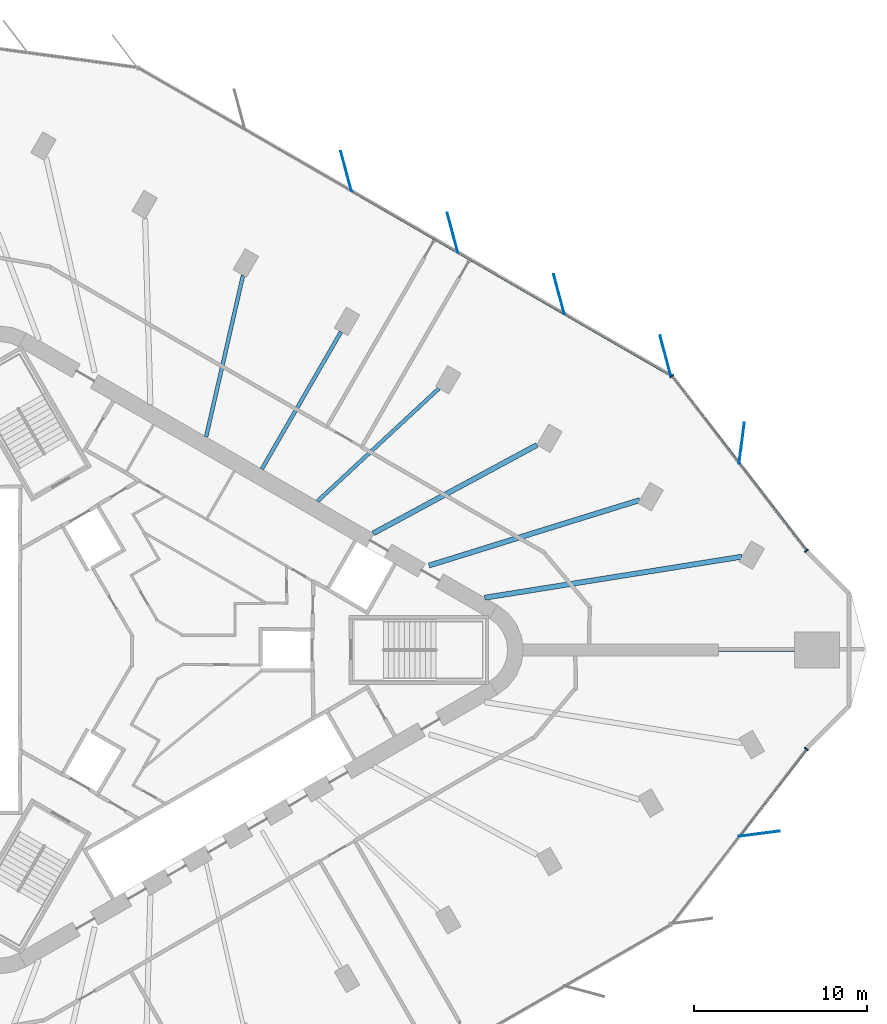
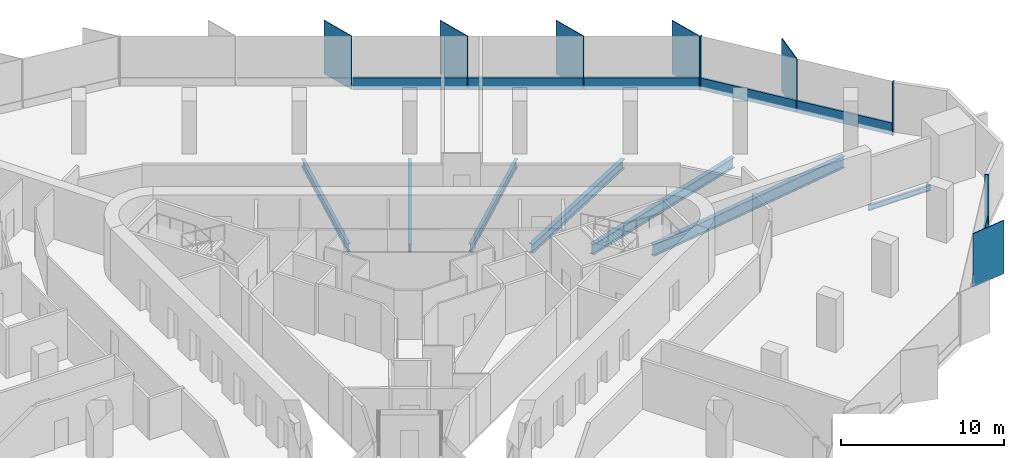
# One storey, part 5 of 14: 15 members, 7 beams, 3 elements without a shape of their own.
"""IFC4 building model written with IfcOpenShell, lengths in metres."""

import ifcopenshell
import ifcopenshell.guid

model = None  # the IFC model being written
_history = None  # IfcOwnerHistory: only IFC2X3 demands one
_inside = {}  # id of a spatial element -> (the spatial element, [elements in it])
_under = {}  # id of a project, library or spatial element -> (it, [spatial elements below it])
_declared = {}  # id of a project -> (the project, [libraries it declares])
_typed = {}  # id of a type object -> (the type object, [elements of that type])
_made_of = {}  # id of a material, layer set ... -> (it, [elements and type objects made of it])


def new_model(schema):
    """Start an empty IFC model of exactly this schema.

    Asked for "IFC4X3", IfcOpenShell would pick the latest addendum, in which some entities
    have other attributes; the version numbers below select the first issue.
    IFC2X3 requires an IfcOwnerHistory on every rooted entity: one is made here for all.
    """
    global model, _history
    if schema == "IFC4X3":
        model = ifcopenshell.file(schema_version=(4, 3, 0, 0))
    else:
        model = ifcopenshell.file(schema=schema)
    _inside.clear()
    _under.clear()
    _declared.clear()
    _typed.clear()
    _made_of.clear()
    _history = None
    if model.schema == "IFC2X3":
        org = make("IfcOrganization", Name="unknown")
        user = make(
            "IfcPersonAndOrganization",
            ThePerson=make("IfcPerson", FamilyName="unknown"),
            TheOrganization=org,
        )
        app = make(
            "IfcApplication",
            ApplicationDeveloper=org,
            Version="unknown",
            ApplicationFullName="unknown",
            ApplicationIdentifier="unknown",
        )
        _history = make(
            "IfcOwnerHistory",
            OwningUser=user,
            OwningApplication=app,
            ChangeAction="ADDED",
            CreationDate=0,
        )
    return model


def make(cls, **values):
    """One entity of the class cls with the attributes given. An attribute that is None is left unset."""
    return model.create_entity(
        cls, **{name: value for name, value in values.items() if value is not None}
    )


def rooted(cls, **values):
    """An entity with a GlobalId (a new one), such as an element, a storey or a relation."""
    return make(cls, GlobalId=ifcopenshell.guid.new(), OwnerHistory=_history, **values)


def si_unit(unit_type, name, prefix=None):
    """IfcSIUnit, for example si_unit("LENGTHUNIT", "METRE", prefix="MILLI")."""
    return make("IfcSIUnit", UnitType=unit_type, Prefix=prefix, Name=name)


def assignment(units):
    """IfcUnitAssignment: the units of a project."""
    return None if units is None else make("IfcUnitAssignment", Units=units)


def point(xyz):
    """IfcCartesianPoint."""
    return None if xyz is None else make("IfcCartesianPoint", Coordinates=xyz)


def direction(xyz):
    """IfcDirection."""
    return None if xyz is None else make("IfcDirection", DirectionRatios=xyz)


def frame(location, z_axis=None, x_axis=None):
    """IfcAxis2Placement3D, a coordinate frame: its origin and axes. An axis left out is left unset."""
    return make(
        "IfcAxis2Placement3D",
        Location=point(location),
        Axis=direction(z_axis),
        RefDirection=direction(x_axis),
    )


def frame_2d(location, x_axis=None):
    """IfcAxis2Placement2D, a coordinate frame in the plane: its origin and x axis."""
    return make(
        "IfcAxis2Placement2D", Location=point(location), RefDirection=direction(x_axis)
    )


def origin():
    """The frame at (0, 0, 0) with its axes left unset."""
    return frame((0.0, 0.0, 0.0))


def origin_2d():
    """The frame at (0, 0) in the plane with its x axis left unset."""
    return frame_2d((0.0, 0.0))


def place(relative_to, where):
    """IfcLocalPlacement: puts the frame where relative to a parent placement (None: the world)."""
    return make(
        "IfcLocalPlacement", PlacementRelTo=relative_to, RelativePlacement=where
    )


def context(
    kind, dimensions, precision=None, world=None, true_north=None, identifier=None
):
    """IfcGeometricRepresentationContext, for example the 3D "Model" context."""
    return make(
        "IfcGeometricRepresentationContext",
        ContextIdentifier=identifier,
        ContextType=kind,
        CoordinateSpaceDimension=dimensions,
        Precision=precision,
        WorldCoordinateSystem=world,
        TrueNorth=true_north,
    )


def subcontext(parent, identifier, kind, view, scale=None):
    """IfcGeometricRepresentationSubContext, for example "Body" below "Model"."""
    return make(
        "IfcGeometricRepresentationSubContext",
        ContextIdentifier=identifier,
        ContextType=kind,
        ParentContext=parent,
        TargetScale=scale,
        TargetView=view,
    )


def project(units=None, contexts=None):
    """IfcProject with its units and contexts."""
    return rooted(
        "IfcProject",
        Name="project",
        RepresentationContexts=contexts,
        UnitsInContext=assignment(units),
    )


def spatial(cls, under=None, at=None, **own):
    """A site, building, storey or space (cls), placed at a placement, below another one or the project."""
    s = rooted(cls, ObjectPlacement=at, **own)
    if under is not None:
        _under.setdefault(under.id(), (under, []))[1].append(s)
    return s


def profile(cls, at=None, kind="AREA", **sizes):
    """A parametric profile (cls). Its sizes go by their IFC names, for example OverallWidth=200.0."""
    return make(cls, ProfileType=kind, Position=at, **sizes)


def rectangle(**sizes):
    """IfcRectangleProfileDef."""
    return profile("IfcRectangleProfileDef", **sizes)


def i_section(**sizes):
    """IfcIShapeProfileDef."""
    return profile("IfcIShapeProfileDef", **sizes)


def extrude(swept, where, along, depth):
    """IfcExtrudedAreaSolid: the profile swept, set in the frame where, extruded along a direction by depth."""
    return make(
        "IfcExtrudedAreaSolid",
        SweptArea=swept,
        Position=where,
        ExtrudedDirection=direction(along),
        Depth=depth,
    )


def shape(context_of_items, identifier, shape_type, items):
    """IfcShapeRepresentation: the items that make up one representation, for example the "Body"."""
    return make(
        "IfcShapeRepresentation",
        ContextOfItems=context_of_items,
        RepresentationIdentifier=identifier,
        RepresentationType=shape_type,
        Items=items,
    )


def material(Name=None, Category=None):
    """IfcMaterial."""
    return make("IfcMaterial", Name=Name, Category=Category)


def material_profile(
    of_material, cross_section, Name=None, Category=None, Priority=None
):
    """IfcMaterialProfile: a cross section and its material."""
    return make(
        "IfcMaterialProfile",
        Name=Name,
        Material=of_material,
        Profile=cross_section,
        Priority=Priority,
        Category=Category,
    )


def profile_set(profiles, Name=None, composite=None):
    """IfcMaterialProfileSet."""
    return make(
        "IfcMaterialProfileSet",
        Name=Name,
        MaterialProfiles=profiles,
        CompositeProfile=composite,
    )


def made_of(thing, what):
    """Note that an element or type object is made of a material, layer set ...; save() writes the relation."""
    if what is not None:
        _made_of.setdefault(what.id(), (what, []))[1].append(thing)
    return thing


def type_object(cls, material=None, **own):
    """A type object (cls), such as IfcWallType, which elements share."""
    return made_of(rooted(cls, **own), material)


def element(
    cls,
    number,
    at=None,
    inside=None,
    cuts=None,
    type_object=None,
    material=None,
    context=None,
    identifier="Body",
    shape_type=None,
    held_by="IfcProductDefinitionShape",
    body=None,
    shapes=None,
    **own,
):
    """One element of the class cls, such as IfcWall. Its Tag is "e" and its number.

    at: its placement. inside: the storey or other place that contains it. cuts: it is an
    opening in that element (IfcRelVoidsElement). A single representation is given by context,
    identifier, shape_type and body (its items); several are given by shapes. held_by: the class
    of the entity that holds the representations. save() writes the other relations.
    """
    e = rooted(cls, Tag="e%d" % number, ObjectPlacement=at, **own)
    if body is not None:
        shapes = [shape(context, identifier, shape_type, body)]
    if shapes is not None:
        e.Representation = make(held_by, Representations=shapes)
    if inside is not None:
        _inside.setdefault(inside.id(), (inside, []))[1].append(e)
    if cuts is not None:
        rooted(
            "IfcRelVoidsElement", RelatingBuildingElement=cuts, RelatedOpeningElement=e
        )
    if type_object is not None:
        _typed.setdefault(type_object.id(), (type_object, []))[1].append(e)
    return made_of(e, material)


def aggregate(whole, parts):
    """IfcRelAggregates: a whole, such as a stair, and the parts it consists of."""
    return rooted("IfcRelAggregates", RelatingObject=whole, RelatedObjects=parts)


def save(model, path):
    """Write the relations noted so far, then the file.

    IfcRelAggregates (storeys below a building ...), IfcRelContainedInSpatialStructure (elements
    in a storey), IfcRelDefinesByType, IfcRelAssociatesMaterial and IfcRelDeclares: one each for
    every whole, place, type object, material and project.
    """
    for whole, parts in _under.values():
        aggregate(whole, parts)
    for where, things in _inside.values():
        rooted(
            "IfcRelContainedInSpatialStructure",
            RelatedElements=things,
            RelatingStructure=where,
        )
    for kind, things in _typed.values():
        rooted("IfcRelDefinesByType", RelatedObjects=things, RelatingType=kind)
    for what, things in _made_of.values():
        rooted("IfcRelAssociatesMaterial", RelatedObjects=things, RelatingMaterial=what)
    for by, libraries in _declared.values():
        rooted("IfcRelDeclares", RelatingContext=by, RelatedDefinitions=libraries)
    model.write(path)


model = new_model("IFC4")

# Units and contexts
model_context = context("Model", 3, precision=1e-05, world=origin(), true_north=direction((0.0, 1.0)))
body_context = subcontext(model_context, "Body", "Model", "MODEL_VIEW")
ifc_project = project(units=[si_unit("LENGTHUNIT", "METRE"), si_unit("AREAUNIT", "SQUARE_METRE"), si_unit("VOLUMEUNIT", "CUBIC_METRE"), si_unit("PLANEANGLEUNIT", "RADIAN"), si_unit("MASSUNIT", "GRAM", prefix="KILO")], contexts=[model_context])

# Site, building, storey
site_placement = place(None, origin())
site = spatial("IfcSite", under=ifc_project, at=site_placement, CompositionType="ELEMENT")
building_placement = place(site_placement, origin())
building = spatial("IfcBuilding", under=site, at=building_placement, Name="Tanit Gate Tower", CompositionType="ELEMENT")
storey_placement = place(building_placement, frame((0.0, 0.0, 233.199951171875)))
storey = spatial("IfcBuildingStorey", under=building, at=storey_placement, Name="L52", CompositionType="ELEMENT", Elevation=233.199951171875)

# Curtain wall, member
ifc_material_1 = material(Name="Aluminium bronze anodised and glass", Category="aluminium")
curtain_wall_type = type_object("IfcCurtainWallType", Name="Curtain wall typical mid", PredefinedType="NOTDEFINED", material=ifc_material_1)
curtain_wall_1_placement = place(storey_placement, origin())
curtain_wall_1 = element("IfcCurtainWall", 1, at=curtain_wall_1_placement, inside=storey, type_object=curtain_wall_type, Name="Curtain wall L52 NE1", PredefinedType="NOTDEFINED")
ifc_material_2 = material(Name="Aluminium bronze anodised", Category="aluminium")
ifc_material_profile_1 = material_profile(ifc_material_2, rectangle(XDim=2.39990234375, YDim=0.055908203125, at=origin_2d()), Name="56x2400 bronze fin mullion")
ifc_profile_set_1 = profile_set([ifc_material_profile_1], Name="Aluminium bronze anodised")
member_type_1 = type_object("IfcMemberType", Name="FIN MULLION 56x2400 bronze", PredefinedType="MULLION", material=ifc_profile_set_1)
member_1_placement = place(storey_placement, frame((33.85791015625, 11.97412109375, -0.300048828125), z_axis=(0.0, 0.0, 1.0), x_axis=(-0.127959021811, -0.991779455694, 0.0)))
member_1 = element("IfcMember", 2, at=member_1_placement, type_object=member_type_1, Name="Fin mullion L52 NE1.2", PredefinedType="MULLION", context=body_context, shape_type="SweptSolid", body=[
    extrude(rectangle(XDim=2.39990234375, YDim=0.055908203125, at=origin_2d()), origin(), (0.0, 0.0, 1.0), 4.0),
])

# Curtain wall, members
curtain_wall_2_placement = place(storey_placement, origin())
curtain_wall_2 = element("IfcCurtainWall", 3, at=curtain_wall_2_placement, inside=storey, type_object=curtain_wall_type, Name="Curtain wall L52 NE2", PredefinedType="NOTDEFINED")
member_2_placement = place(storey_placement, frame((29.439208984375, 17.05517578125, -0.300048828125), z_axis=(0.0, 0.0, 1.0), x_axis=(0.258886020591, -0.965907877772, 0.0)))
member_2 = element("IfcMember", 4, at=member_2_placement, type_object=member_type_1, Name="Fin mullion L52 NE2.1", PredefinedType="MULLION", context=body_context, shape_type="SweptSolid", body=[
    extrude(rectangle(XDim=2.39990234375, YDim=0.055908203125, at=origin_2d()), origin(), (0.0, 0.0, 1.0), 4.0),
])
member_3_placement = place(storey_placement, frame((23.2724609375, 20.614990234375, -0.300048828125), z_axis=(0.0, 0.0, 1.0), x_axis=(0.258886020591, -0.965907877772, 0.0)))
member_3 = element("IfcMember", 5, at=member_3_placement, type_object=member_type_1, Name="Fin mullion L52 NE2.2", PredefinedType="MULLION", context=body_context, shape_type="SweptSolid", body=[
    extrude(rectangle(XDim=2.39990234375, YDim=0.055908203125, at=origin_2d()), origin(), (0.0, 0.0, 1.0), 4.0),
])
member_4_placement = place(storey_placement, frame((17.105712890625, 24.1748046875, -0.300048828125), z_axis=(0.0, 0.0, 1.0), x_axis=(0.258886020591, -0.965907877772, 0.0)))
member_4 = element("IfcMember", 6, at=member_4_placement, type_object=member_type_1, Name="Fin mullion L52 NE2.3", PredefinedType="MULLION", context=body_context, shape_type="SweptSolid", body=[
    extrude(rectangle(XDim=2.39990234375, YDim=0.055908203125, at=origin_2d()), origin(), (0.0, 0.0, 1.0), 4.0),
])
member_5_placement = place(storey_placement, frame((10.93896484375, 27.734619140625, -0.300048828125), z_axis=(0.0, 0.0, 1.0), x_axis=(0.258886020591, -0.965907877772, 0.0)))
member_5 = element("IfcMember", 7, at=member_5_placement, type_object=member_type_1, Name="Fin mullion L52 NE2.4", PredefinedType="MULLION", context=body_context, shape_type="SweptSolid", body=[
    extrude(rectangle(XDim=2.39990234375, YDim=0.055908203125, at=origin_2d()), origin(), (0.0, 0.0, 1.0), 4.0),
])

# Curtain wall, member
curtain_wall_3_placement = place(storey_placement, origin())
curtain_wall_3 = element("IfcCurtainWall", 8, at=curtain_wall_3_placement, inside=storey, type_object=curtain_wall_type, Name="Curtain wall L52 SE3", PredefinedType="NOTDEFINED")
member_6_placement = place(storey_placement, frame((34.87548828125, -10.6533203125, -0.300048828125), z_axis=(0.0, 0.0, 1.0), x_axis=(-0.991802209768, -0.127782536751, 0.0)))
member_6 = element("IfcMember", 9, at=member_6_placement, type_object=member_type_1, Name="Fin mullion L52 SE3.2", PredefinedType="MULLION", context=body_context, shape_type="SweptSolid", body=[
    extrude(rectangle(XDim=2.39990234375, YDim=0.055908203125, at=origin_2d()), origin(), (0.0, 0.0, 1.0), 4.0),
])

# Member
ifc_material_3 = material(Name="Aluminium bronze anodised", Category="aluminium")
ifc_material_profile_2 = material_profile(ifc_material_3, rectangle(XDim=0.260009765625, YDim=0.080078125, at=origin_2d()), Name="80x260 bronze mullion")
ifc_profile_set_2 = profile_set([ifc_material_profile_2], Name="Aluminium bronze anodised")
member_type_2 = type_object("IfcMemberType", Name="Mullion 80x260 typical mid", PredefinedType="MULLION", material=ifc_profile_set_2)
member_7_placement = place(storey_placement, frame((37.610595703125, 5.744873046875, -0.300048828125), z_axis=(0.0, 0.0, 1.0), x_axis=(-0.791774670599, -0.610813286526, 0.0)))
member_7 = element("IfcMember", 10, at=member_7_placement, type_object=member_type_2, Name="Mullion L52 NE1.1", PredefinedType="MULLION", context=body_context, shape_type="SweptSolid", body=[
    extrude(rectangle(XDim=0.260009765625, YDim=0.080078125, at=origin_2d()), origin(), (0.0, 0.0, 1.0), 4.0),
])

member_8_placement = place(storey_placement, frame((29.803466796875, 15.864990234375, -0.300048828125), z_axis=(0.0, 0.0, 1.0), x_axis=(-0.791774670599, -0.610813286526, 0.0)))
member_8 = element("IfcMember", 11, at=member_8_placement, type_object=member_type_2, Name="Mullion L52 NE1.3", PredefinedType="MULLION", context=body_context, shape_type="SweptSolid", body=[
    extrude(rectangle(XDim=0.260009765625, YDim=0.080078125, at=origin_2d()), origin(), (0.0, 0.0, 1.0), 4.0),
])

member_9_placement = place(storey_placement, frame((37.610595703125, -5.744873046875, -0.300048828125), z_axis=(0.0, 0.0, 1.0), x_axis=(-0.791665966377, 0.610954169869, 0.0)))
member_9 = element("IfcMember", 12, at=member_9_placement, type_object=member_type_2, Name="Mullion L52 SE3.3", PredefinedType="MULLION", context=body_context, shape_type="SweptSolid", body=[
    extrude(rectangle(XDim=0.260009765625, YDim=0.080078125, at=origin_2d()), origin(), (0.0, 0.0, 1.0), 4.0),
])

# Beams
ifc_material_4 = material(Name="Steel S355", Category="steel")
ifc_material_profile_3 = material_profile(ifc_material_4, i_section(OverallWidth=0.300048828125, OverallDepth=0.68994140625, WebThickness=0.014404296875, FlangeThickness=0.027099609375, FilletRadius=0.027099609375, at=origin_2d()), Name="HEA 700")
ifc_profile_set_3 = profile_set([ifc_material_profile_3], Name="Steel S355")
beam_type_1 = type_object("IfcBeamType", Name="RADIAL GIRDER HEA 700 S355", PredefinedType="BEAM", material=ifc_profile_set_3)
beam_1_placement = place(storey_placement, frame((21.993896484375, 11.873046875, -0.64501953125), z_axis=(-0.879968075352, -0.475032826614, 0.0), x_axis=(0.475032826614, -0.879968075352, 0.0)))
element("IfcBeam", 13, at=beam_1_placement, inside=storey, type_object=beam_type_1, Name="RADIAL GIRDER", PredefinedType="BEAM", context=body_context, shape_type="SweptSolid", body=[
    extrude(i_section(OverallWidth=0.300048828125, OverallDepth=0.68994140625, WebThickness=0.014404296875, FlangeThickness=0.027099609375, FilletRadius=0.027099609375, at=origin_2d()), origin(), (0.0, 0.0, 1.0), 10.779541015625),
])
ifc_material_5 = material(Name="Steel S355", Category="steel")
ifc_material_profile_4 = material_profile(ifc_material_5, i_section(OverallWidth=0.300048828125, OverallDepth=0.7900390625, WebThickness=0.014892578125, FlangeThickness=0.028076171875, FilletRadius=0.030029296875, at=origin_2d()), Name="HEA 800")
ifc_profile_set_4 = profile_set([ifc_material_profile_4], Name="Steel S355")
beam_type_2 = type_object("IfcBeamType", Name="RADIAL GIRDER HEA 800 S355", PredefinedType="BEAM", material=ifc_profile_set_4)
beam_2_placement = place(storey_placement, frame((27.947998046875, 8.681396484375, -0.695068359375), z_axis=(-0.954989554266, -0.296639429684, 0.0), x_axis=(0.296639429684, -0.954989554266, 0.0)))
element("IfcBeam", 14, at=beam_2_placement, inside=storey, type_object=beam_type_2, Name="RADIAL GIRDER", PredefinedType="BEAM", context=body_context, shape_type="SweptSolid", body=[
    extrude(i_section(OverallWidth=0.300048828125, OverallDepth=0.7900390625, WebThickness=0.014892578125, FlangeThickness=0.028076171875, FilletRadius=0.030029296875, at=origin_2d()), origin(), (0.0, 0.0, 1.0), 12.786376953125),
])
ifc_material_6 = material(Name="Steel S355", Category="steel")
ifc_material_profile_5 = material_profile(ifc_material_6, i_section(OverallWidth=0.300048828125, OverallDepth=0.889892578125, WebThickness=0.01611328125, FlangeThickness=0.030029296875, FilletRadius=0.030029296875, at=origin_2d()), Name="HEA 900")
ifc_profile_set_5 = profile_set([ifc_material_profile_5], Name="Steel S355")
beam_type_3 = type_object("IfcBeamType", Name="RADIAL GIRDER HEA 900 S355", PredefinedType="BEAM", material=ifc_profile_set_5)
beam_3_placement = place(storey_placement, frame((33.872802734375, 5.4013671875, -0.744873046875), z_axis=(-0.987524864709, -0.157463143563, 0.0), x_axis=(0.157463143563, -0.987524864709, 0.0)))
element("IfcBeam", 15, at=beam_3_placement, inside=storey, type_object=beam_type_3, Name="RADIAL GIRDER", PredefinedType="BEAM", context=body_context, shape_type="SweptSolid", body=[
    extrude(i_section(OverallWidth=0.300048828125, OverallDepth=0.889892578125, WebThickness=0.01611328125, FlangeThickness=0.030029296875, FilletRadius=0.030029296875, at=origin_2d()), origin(), (0.0, 0.0, 1.0), 15.09521484375),
])
ifc_material_7 = material(Name="Steel S355", Category="steel")
ifc_material_profile_6 = material_profile(ifc_material_7, i_section(OverallWidth=0.179931640625, OverallDepth=0.39990234375, WebThickness=0.008544921875, FlangeThickness=0.013427734375, FilletRadius=0.02099609375, at=origin_2d()), Name="IPE 400")
ifc_profile_set_6 = profile_set([ifc_material_profile_6], Name="Steel S355")
beam_type_4 = type_object("IfcBeamType", Name="RADIAL GIRDER IPE 400 S355", PredefinedType="BEAM", material=ifc_profile_set_6)
beam_4_placement = place(storey_placement, frame((36.919677734375, 0.0, -0.5), z_axis=(-1.0, 0.0, 0.0), x_axis=(0.0, -1.0, 0.0)))
element("IfcBeam", 16, at=beam_4_placement, inside=storey, type_object=beam_type_4, Name="RADIAL GIRDER", PredefinedType="BEAM", context=body_context, shape_type="SweptSolid", body=[
    extrude(i_section(OverallWidth=0.179931640625, OverallDepth=0.39990234375, WebThickness=0.008544921875, FlangeThickness=0.013427734375, FilletRadius=0.02099609375, at=origin_2d()), origin(), (0.0, 0.0, 1.0), 4.401611328125),
])
ifc_material_8 = material(Name="Steel S355", Category="steel")
ifc_material_profile_7 = material_profile(ifc_material_8, i_section(OverallWidth=0.219970703125, OverallDepth=0.60009765625, WebThickness=0.011962890625, FlangeThickness=0.01904296875, FilletRadius=0.02392578125, at=origin_2d()), Name="IPE 600")
ifc_profile_set_7 = profile_set([ifc_material_profile_7], Name="Steel S355")
beam_type_5 = type_object("IfcBeamType", Name="RADIAL GIRDER IPE 600 S355", PredefinedType="BEAM", material=ifc_profile_set_7)
beam_5_placement = place(storey_placement, frame((16.316650390625, 15.150634765625, -0.599853515625), z_axis=(-0.73280888542, -0.680434521059, 0.0), x_axis=(0.680434521059, -0.73280888542, 0.0)))
element("IfcBeam", 17, at=beam_5_placement, inside=storey, type_object=beam_type_5, Name="RADIAL GIRDER", PredefinedType="BEAM", context=body_context, shape_type="SweptSolid", body=[
    extrude(i_section(OverallWidth=0.219970703125, OverallDepth=0.60009765625, WebThickness=0.011962890625, FlangeThickness=0.01904296875, FilletRadius=0.02392578125, at=origin_2d()), origin(), (0.0, 0.0, 1.0), 9.6025390625),
])
beam_6_placement = place(storey_placement, frame((10.6396484375, 18.428466796875, -0.599853515625), z_axis=(-0.499998789643, -0.866026102583, 0.0), x_axis=(0.866026102583, -0.499998789643, 0.0)))
element("IfcBeam", 18, at=beam_6_placement, inside=storey, type_object=beam_type_5, Name="RADIAL GIRDER", PredefinedType="BEAM", context=body_context, shape_type="SweptSolid", body=[
    extrude(i_section(OverallWidth=0.219970703125, OverallDepth=0.60009765625, WebThickness=0.011962890625, FlangeThickness=0.01904296875, FilletRadius=0.02392578125, at=origin_2d()), origin(), (0.0, 0.0, 1.0), 9.17724609375),
])
beam_7_placement = place(storey_placement, frame((4.962646484375, 21.7060546875, -0.599853515625), z_axis=(-0.222889001119, -0.974843830149, 0.0), x_axis=(0.974843830149, -0.222889001119, 0.0)))
element("IfcBeam", 19, at=beam_7_placement, inside=storey, type_object=beam_type_5, Name="RADIAL GIRDER", PredefinedType="BEAM", context=body_context, shape_type="SweptSolid", body=[
    extrude(i_section(OverallWidth=0.219970703125, OverallDepth=0.60009765625, WebThickness=0.011962890625, FlangeThickness=0.01904296875, FilletRadius=0.02392578125, at=origin_2d()), origin(), (0.0, 0.0, 1.0), 9.602783203125),
])

# Member
ifc_material_9 = material(Name="Aluminium bronze anodised", Category="aluminium")
ifc_material_profile_8 = material_profile(ifc_material_9, rectangle(XDim=0.139892578125, YDim=0.89990234375, at=origin_2d()), Name="140x900 bronze transom")
ifc_profile_set_8 = profile_set([ifc_material_profile_8], Name="Aluminium bronze anodised")
member_type_3 = type_object("IfcMemberType", Name="Transom 140x900 typical mid", PredefinedType="USERDEFINED", material=ifc_profile_set_8)
member_10_placement = place(storey_placement, frame((37.586181640625, 5.776611328125, 0.150146484375), z_axis=(-0.610826321635, 0.791764614515, 0.0), x_axis=(-0.791764614515, -0.610826321635, 0.0)))
member_10 = element("IfcMember", 20, at=member_10_placement, type_object=member_type_3, Name="Transom L52 NE1.1", ObjectType="TRANSOM", PredefinedType="USERDEFINED", context=body_context, shape_type="SweptSolid", body=[
    extrude(rectangle(XDim=0.139892578125, YDim=0.89990234375, at=origin_2d()), origin(), (0.0, 0.0, 1.0), 6.310791015625),
])

member_11_placement = place(storey_placement, frame((33.6826171875, 10.836669921875, 0.150146484375), z_axis=(-0.610826321635, 0.791764614515, 0.0), x_axis=(-0.791764614515, -0.610826321635, 0.0)))
member_11 = element("IfcMember", 21, at=member_11_placement, type_object=member_type_3, Name="Transom L52 NE1.2", ObjectType="TRANSOM", PredefinedType="USERDEFINED", context=body_context, shape_type="SweptSolid", body=[
    extrude(rectangle(XDim=0.139892578125, YDim=0.89990234375, at=origin_2d()), origin(), (0.0, 0.0, 1.0), 6.310791015625),
])

aggregate(curtain_wall_1, [member_7, member_1, member_8, member_10, member_11])

member_12_placement = place(storey_placement, frame((29.709716796875, 15.9365234375, 0.150146484375), z_axis=(-0.866060282556, 0.499939583328, 0.0), x_axis=(-0.499939583328, -0.866060282556, 0.0)))
member_12 = element("IfcMember", 22, at=member_12_placement, type_object=member_type_3, Name="Transom L52 NE2.1", ObjectType="TRANSOM", PredefinedType="USERDEFINED", context=body_context, shape_type="SweptSolid", body=[
    extrude(rectangle(XDim=0.139892578125, YDim=0.89990234375, at=origin_2d()), origin(), (0.0, 0.0, 1.0), 7.040283203125),
])

member_13_placement = place(storey_placement, frame((23.54296875, 19.496337890625, 0.150146484375), z_axis=(-0.866060282556, 0.499939583328, 0.0), x_axis=(-0.499939583328, -0.866060282556, 0.0)))
member_13 = element("IfcMember", 23, at=member_13_placement, type_object=member_type_3, Name="Transom L52 NE2.2", ObjectType="TRANSOM", PredefinedType="USERDEFINED", context=body_context, shape_type="SweptSolid", body=[
    extrude(rectangle(XDim=0.139892578125, YDim=0.89990234375, at=origin_2d()), origin(), (0.0, 0.0, 1.0), 7.040283203125),
])

member_14_placement = place(storey_placement, frame((17.376220703125, 23.05615234375, 0.150146484375), z_axis=(-0.866060282556, 0.499939583328, 0.0), x_axis=(-0.499939583328, -0.866060282556, 0.0)))
member_14 = element("IfcMember", 24, at=member_14_placement, type_object=member_type_3, Name="Transom L52 NE2.3", ObjectType="TRANSOM", PredefinedType="USERDEFINED", context=body_context, shape_type="SweptSolid", body=[
    extrude(rectangle(XDim=0.139892578125, YDim=0.89990234375, at=origin_2d()), origin(), (0.0, 0.0, 1.0), 7.040283203125),
])

aggregate(curtain_wall_2, [member_2, member_3, member_4, member_5, member_12, member_13, member_14])

member_15_placement = place(storey_placement, frame((33.730712890625, -10.772216796875, 0.150146484375), z_axis=(0.61097391648, 0.791650726887, 0.0), x_axis=(-0.791650726887, 0.61097391648, 0.0)))
member_15 = element("IfcMember", 25, at=member_15_placement, type_object=member_type_3, Name="Transom L52 SE3.2", ObjectType="TRANSOM", PredefinedType="USERDEFINED", context=body_context, shape_type="SweptSolid", body=[
    extrude(rectangle(XDim=0.139892578125, YDim=0.89990234375, at=origin_2d()), origin(), (0.0, 0.0, 1.0), 6.310302734375),
])

aggregate(curtain_wall_3, [member_6, member_9, member_15])

save(model, "model.ifc")
